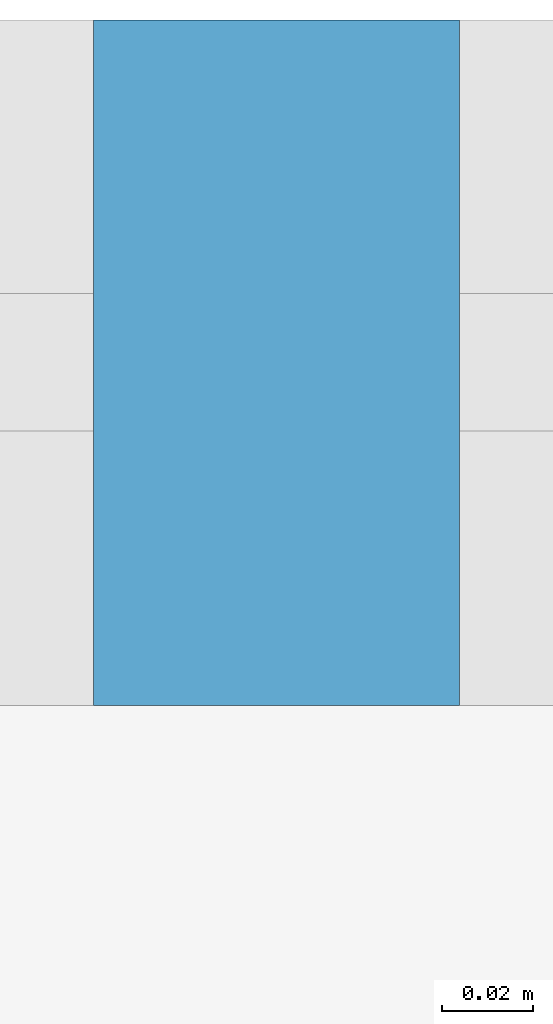
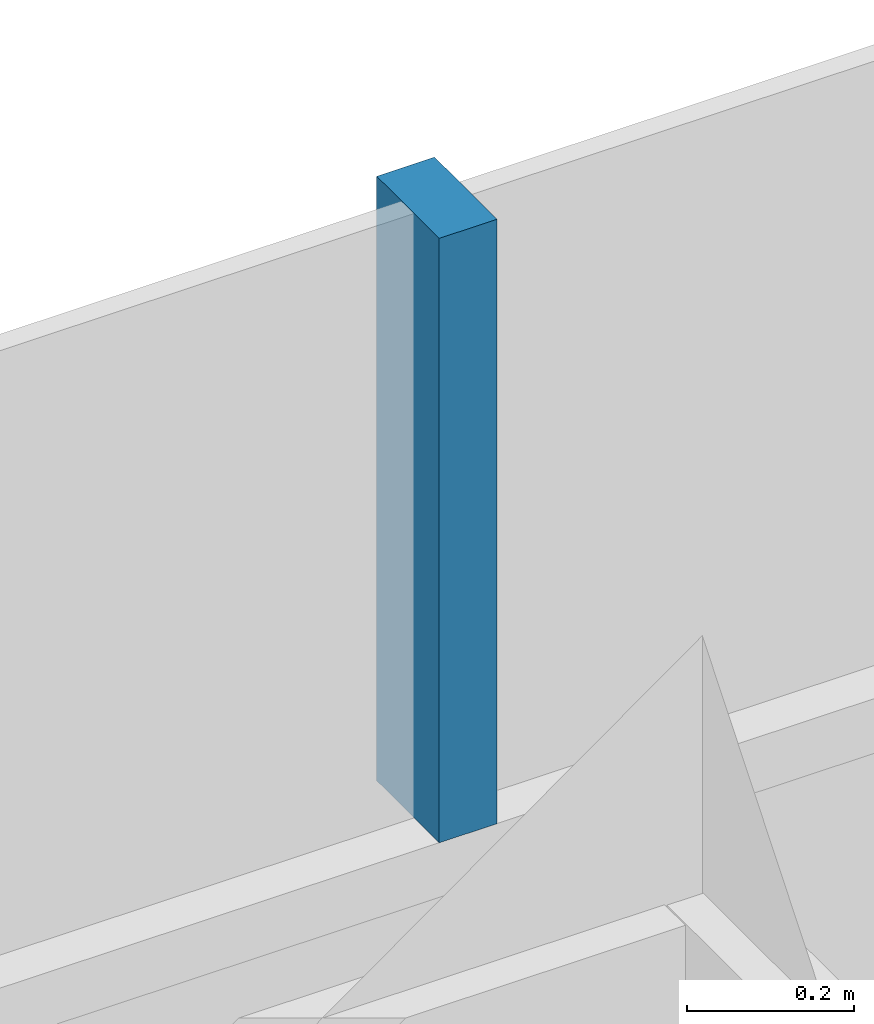
# One storey, part 15 of 26: 1 member, 1 element without a shape of its own.
"""IFC4 building model written with IfcOpenShell, lengths in metres."""

from ifc_helpers import new_model, si_unit, direction, frame, origin, origin_2d, place, context, subcontext, project, spatial, rectangle, extrude, material, layer, layer_set, material_profile, profile_set, type_object, element, aggregate, save


model = new_model("IFC4")

# Units and contexts
model_context = context("Model", 3, precision=1e-05, world=origin(), true_north=direction((0.0, 1.0)))
body_context = subcontext(model_context, "Body", "Model", "MODEL_VIEW")
ifc_project = project(units=[si_unit("LENGTHUNIT", "METRE"), si_unit("AREAUNIT", "SQUARE_METRE"), si_unit("VOLUMEUNIT", "CUBIC_METRE"), si_unit("PLANEANGLEUNIT", "RADIAN"), si_unit("MASSUNIT", "GRAM", prefix="KILO")], contexts=[model_context])

# Site, building, storey
site_placement = place(None, origin())
site = spatial("IfcSite", under=ifc_project, at=site_placement, CompositionType="ELEMENT")
building_placement = place(site_placement, origin())
building = spatial("IfcBuilding", under=site, at=building_placement, Name="Firuza Gate Tower and Library", CompositionType="ELEMENT")
storey_placement = place(building_placement, frame((0.0, 0.0, 288.10009765625)))
storey = spatial("IfcBuildingStorey", under=building, at=storey_placement, Name="L69", CompositionType="ELEMENT", Elevation=288.10009765625)

# Curtain wall, member
ifc_material_1 = material(Name="Aluminium 6063-T6", Category="aluminium")
ifc_layer = layer(ifc_material_1, 0.14990234375)
ifc_layer_set = layer_set([ifc_layer], Name="Corner curtain wall, chamfers")
curtain_wall_type = type_object("IfcCurtainWallType", Name="Corner curtain wall, chamfers", PredefinedType="NOTDEFINED", material=ifc_layer_set)
curtain_wall_placement = place(storey_placement, origin())
curtain_wall = element("IfcCurtainWall", 1, at=curtain_wall_placement, inside=storey, type_object=curtain_wall_type, Name="CW4 L69 N corner", PredefinedType="NOTDEFINED")
ifc_material_2 = material(Name="Aluminium 6063-T6", Category="aluminium")
ifc_material_profile = material_profile(ifc_material_2, rectangle(XDim=0.14990234375, YDim=0.080078125, at=origin_2d()))
ifc_profile_set = profile_set([ifc_material_profile], Name="Aluminium 6063-T6")
member_type = type_object("IfcMemberType", Name="Curtain wall mullion 80x150", PredefinedType="MULLION", material=ifc_profile_set)
member_placement = place(storey_placement, frame((76.22216796875, 102.9755859375, 2.414794921875), z_axis=(0.0, 0.0, 1.0), x_axis=(0.0, -1.0, 0.0)))
member = element("IfcMember", 2, at=member_placement, type_object=member_type, Name="Mullion", PredefinedType="MULLION", context=body_context, shape_type="SweptSolid", body=[
    extrude(rectangle(XDim=0.14990234375, YDim=0.080078125, at=origin_2d()), origin(), (0.0, 0.0, 1.0), 0.885009765625),
])
aggregate(curtain_wall, [member])

save(model, "model.ifc")
